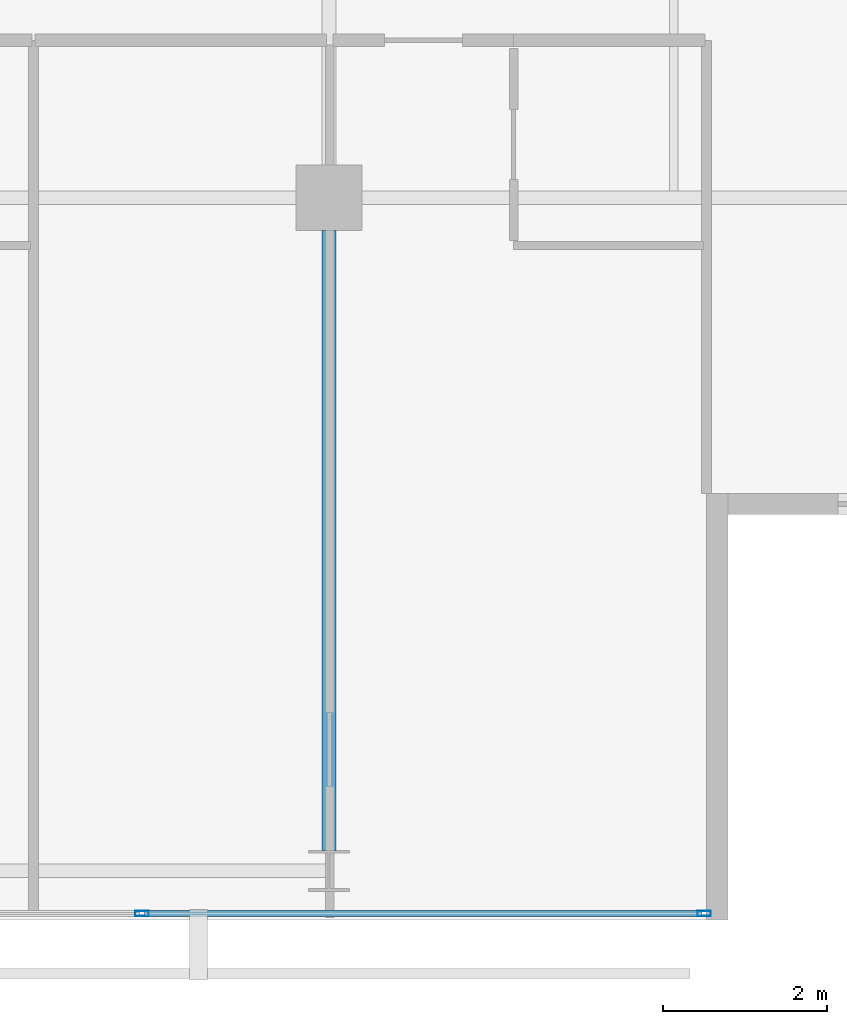
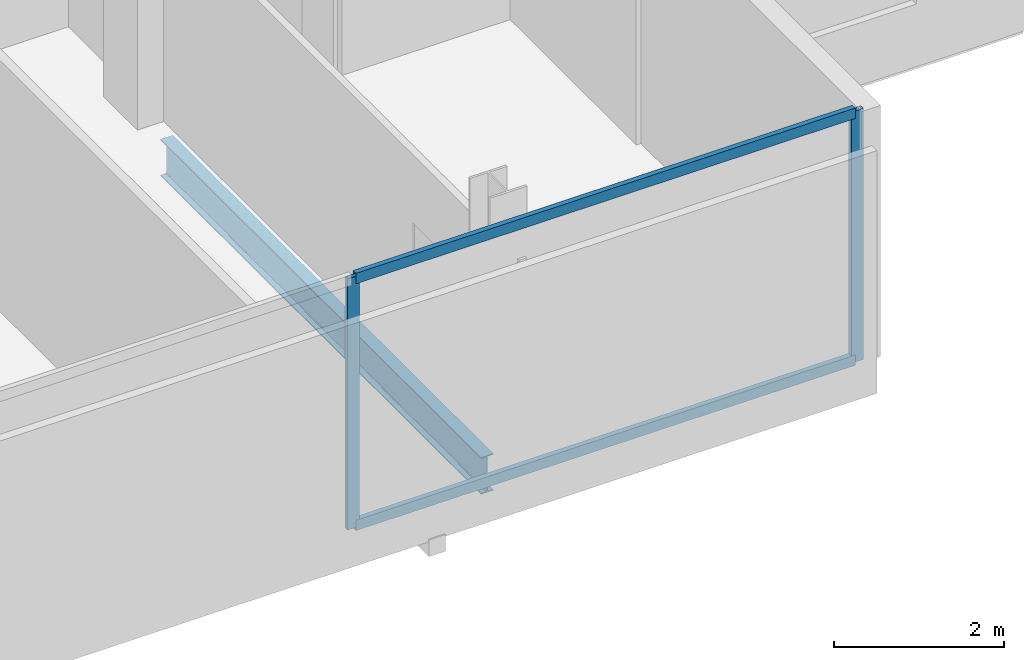
# One storey, part 10 of 26: 4 members, 1 beam, 1 element without a shape of its own.
"""IFC4 building model written with IfcOpenShell, lengths in metres."""

from ifc_helpers import new_model, si_unit, direction, frame, origin, origin_2d, place, context, subcontext, project, spatial, hollow_rectangle, i_section, extrude, material, layer, layer_set, material_profile, profile_set, type_object, element, aggregate, save


model = new_model("IFC4")

# Units and contexts
model_context = context("Model", 3, precision=1e-05, world=origin(), true_north=direction((0.0, 1.0)))
body_context = subcontext(model_context, "Body", "Model", "MODEL_VIEW")
ifc_project = project(units=[si_unit("LENGTHUNIT", "METRE"), si_unit("AREAUNIT", "SQUARE_METRE"), si_unit("VOLUMEUNIT", "CUBIC_METRE"), si_unit("PLANEANGLEUNIT", "RADIAN"), si_unit("MASSUNIT", "GRAM", prefix="KILO")], contexts=[model_context])

# Site, building, storey
site_placement = place(None, origin())
site = spatial("IfcSite", under=ifc_project, at=site_placement, CompositionType="ELEMENT")
building_placement = place(site_placement, origin())
building = spatial("IfcBuilding", under=site, at=building_placement, Name="Maruvema Waterfront Hotel and Observation Tower", CompositionType="ELEMENT")
storey_placement = place(building_placement, frame((0.0, 0.0, 293.300048828125)))
storey = spatial("IfcBuildingStorey", under=building, at=storey_placement, Name="L72", CompositionType="ELEMENT", Elevation=293.300048828125)

# Curtain wall, members
ifc_material_1 = material(Name="Anodised bronze aluminium and solar-control low-E IGU", Category="aluminium")
ifc_layer = layer(ifc_material_1, 0.159912109375, Name="Zone 3 Champagne Inner Thermal Curtain Wall System CW-04")
ifc_layer_set = layer_set([ifc_layer], Name="Anodised bronze aluminium and solar-control low-E IGU")
curtain_wall_type = type_object("IfcCurtainWallType", Name="Zone 3 Champagne Inner Thermal Curtain Wall System CW-04", PredefinedType="USERDEFINED", material=ifc_layer_set)
curtain_wall_placement = place(storey_placement, origin())
curtain_wall = element("IfcCurtainWall", 1, at=curtain_wall_placement, inside=storey, type_object=curtain_wall_type, Name="L72 Curtain Wall CW-L72-S", ObjectType="UNITISED CURTAIN WALL", PredefinedType="USERDEFINED")
ifc_material_2 = material(Name="Anodised architectural bronze aluminium", Category="aluminium")
ifc_material_profile_1 = material_profile(ifc_material_2, hollow_rectangle(XDim=0.070068359375, YDim=0.14990234375, WallThickness=0.00390625, at=origin_2d()), Name="ALU-T70x150")
ifc_profile_set_1 = profile_set([ifc_material_profile_1], Name="Anodised architectural bronze aluminium")
member_type_1 = type_object("IfcMemberType", Name="Curtain Wall Horizontal Transom ALU-T70x150", PredefinedType="USERDEFINED", material=ifc_profile_set_1)
member_1_placement = place(storey_placement, frame((48.14990234375, 9.280029296875, 0.030029296875), z_axis=(1.0, 0.0, 0.0), x_axis=(0.0, 1.0, 0.0)))
member_1 = element("IfcMember", 2, at=member_1_placement, type_object=member_type_1, Name="CW-04 transom 5.1", ObjectType="TRANSOM", PredefinedType="USERDEFINED", context=body_context, shape_type="SweptSolid", body=[
    extrude(hollow_rectangle(XDim=0.070068359375, YDim=0.14990234375, WallThickness=0.00390625, at=origin_2d()), origin(), (0.0, 0.0, 1.0), 6.7900390625),
])
member_2_placement = place(storey_placement, frame((48.14990234375, 9.280029296875, 3.579833984375), z_axis=(1.0, 0.0, 0.0), x_axis=(0.0, 1.0, 0.0)))
member_2 = element("IfcMember", 3, at=member_2_placement, type_object=member_type_1, Name="CW-04 transom 5.2", ObjectType="TRANSOM", PredefinedType="USERDEFINED", context=body_context, shape_type="SweptSolid", body=[
    extrude(hollow_rectangle(XDim=0.070068359375, YDim=0.14990234375, WallThickness=0.00390625, at=origin_2d()), origin(), (0.0, 0.0, 1.0), 6.7900390625),
])
ifc_material_3 = material(Name="Anodised architectural bronze aluminium", Category="aluminium")
ifc_material_profile_2 = material_profile(ifc_material_3, hollow_rectangle(XDim=0.06494140625, YDim=0.1650390625, WallThickness=0.00390625, at=origin_2d()), Name="ALU-M65x165")
ifc_profile_set_2 = profile_set([ifc_material_profile_2], Name="Anodised architectural bronze aluminium")
member_type_2 = type_object("IfcMemberType", Name="Curtain Wall Primary Mullion ALU-M65x165", PredefinedType="MULLION", material=ifc_profile_set_2)
member_3_placement = place(storey_placement, frame((48.1201171875, 9.280029296875, 0.0), z_axis=(0.0, 0.0, 1.0), x_axis=(0.0, 1.0, 0.0)))
member_3 = element("IfcMember", 4, at=member_3_placement, type_object=member_type_2, Name="CW-04 mullion 5", PredefinedType="MULLION", context=body_context, shape_type="SweptSolid", body=[
    extrude(hollow_rectangle(XDim=0.06494140625, YDim=0.1650390625, WallThickness=0.00390625, at=origin_2d()), origin(), (0.0, 0.0, 1.0), 3.60986328125),
])
member_4_placement = place(storey_placement, frame((54.969970703125, 9.280029296875, 0.0), z_axis=(0.0, 0.0, 1.0), x_axis=(0.0, 1.0, 0.0)))
member_4 = element("IfcMember", 5, at=member_4_placement, type_object=member_type_2, Name="CW-04 mullion 6", PredefinedType="MULLION", context=body_context, shape_type="SweptSolid", body=[
    extrude(hollow_rectangle(XDim=0.06494140625, YDim=0.1650390625, WallThickness=0.00390625, at=origin_2d()), origin(), (0.0, 0.0, 1.0), 3.60986328125),
])
aggregate(curtain_wall, [member_3, member_4, member_1, member_2])

# Beam
ifc_material_4 = material(Name="Steel ASTM A572 Grade 50", Category="steel")
ifc_material_profile_3 = material_profile(ifc_material_4, i_section(OverallWidth=0.166015625, OverallDepth=0.529052734375, WebThickness=0.009765625, FlangeThickness=0.013671875, FilletRadius=0.014892578125, at=origin_2d()), Name="W530x74.0")
ifc_profile_set_3 = profile_set([ifc_material_profile_3], Name="Steel ASTM A572 Grade 50")
beam_type = type_object("IfcBeamType", Name="Primary Floor Girder W530x74.0", PredefinedType="BEAM", material=ifc_profile_set_3)
beam_placement = place(storey_placement, frame((50.39990234375, 10.050048828125, -0.504638671875), z_axis=(0.0, 1.0, 0.0), x_axis=(-1.0, 0.0, 0.0)))
element("IfcBeam", 6, at=beam_placement, inside=storey, type_object=beam_type, Name="L72 Floor Girder NS-12", PredefinedType="BEAM", context=body_context, shape_type="SweptSolid", body=[
    extrude(i_section(OverallWidth=0.166015625, OverallDepth=0.529052734375, WebThickness=0.009765625, FlangeThickness=0.013671875, FilletRadius=0.014892578125, at=origin_2d()), origin(), (0.0, 0.0, 1.0), 7.550048828125),
])

save(model, "model.ifc")
